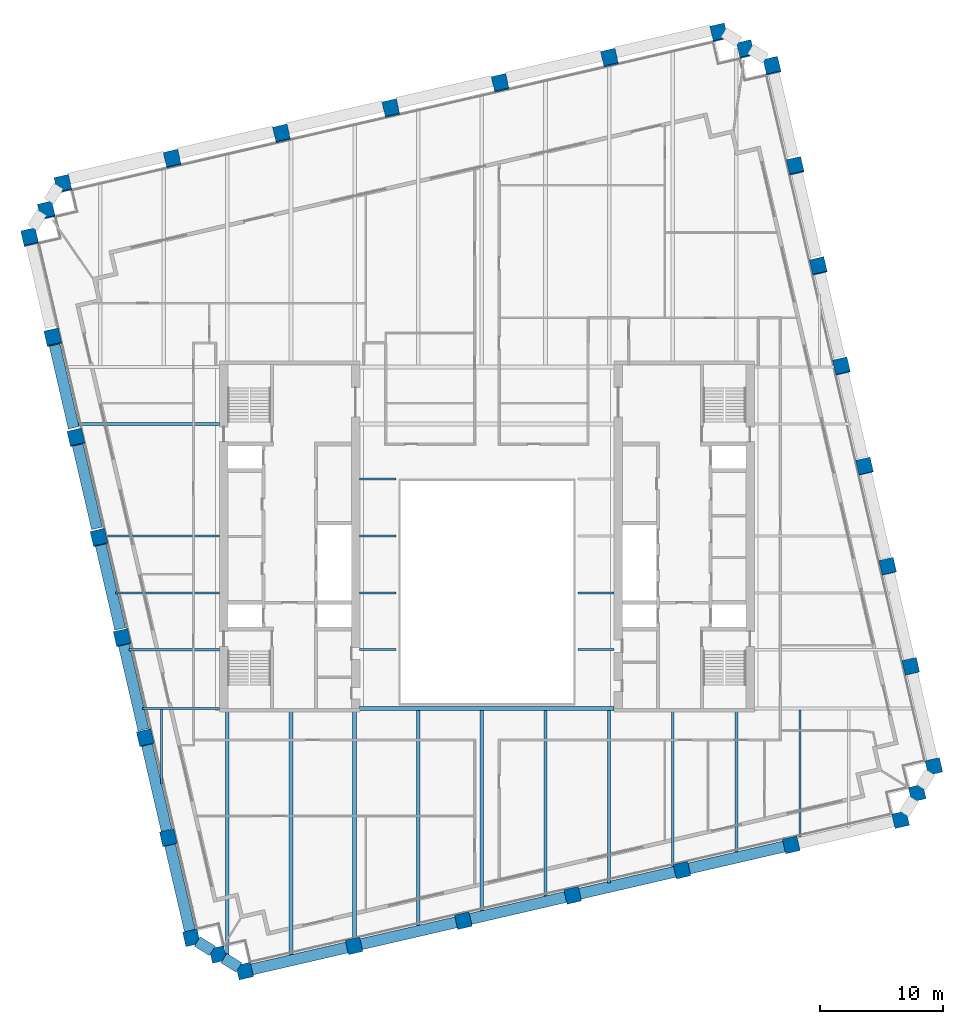
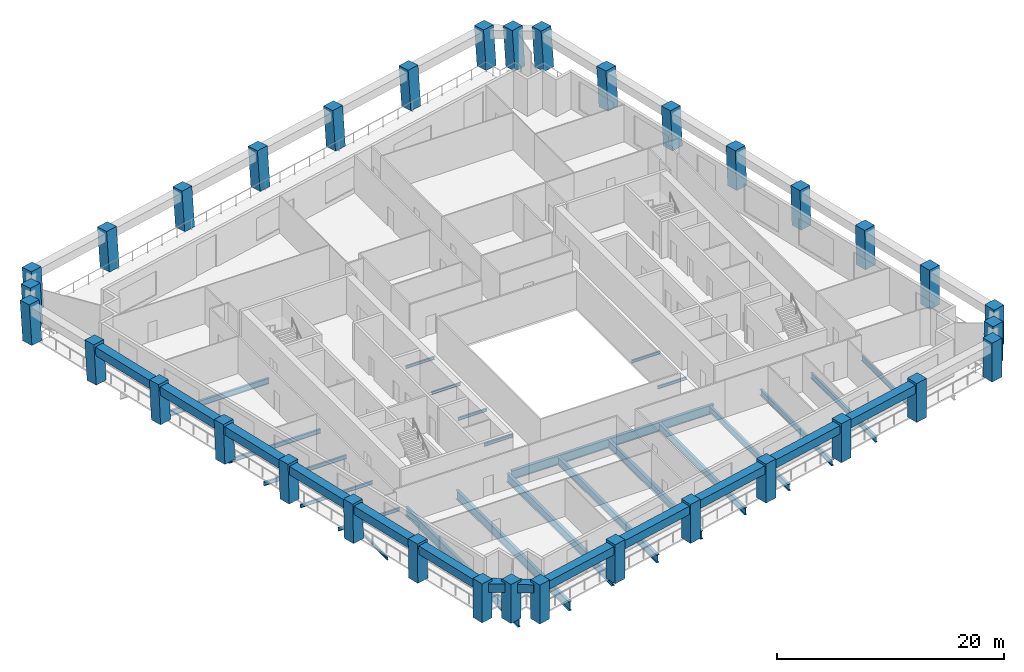
# One storey, part 1 of 11: 36 beams, 34 columns.
"""IFC4 building model written with IfcOpenShell, lengths in metres."""

from ifc_helpers import new_model, si_unit, direction, frame, origin, origin_2d, place, context, subcontext, project, spatial, rectangle, i_section, extrude, material, material_profile, profile_set, type_object, element, save


model = new_model("IFC4")

# Units and contexts
model_context = context("Model", 3, precision=1e-05, world=origin(), true_north=direction((0.0, 1.0)))
body_context = subcontext(model_context, "Body", "Model", "MODEL_VIEW")
ifc_project = project(units=[si_unit("LENGTHUNIT", "METRE"), si_unit("AREAUNIT", "SQUARE_METRE"), si_unit("VOLUMEUNIT", "CUBIC_METRE"), si_unit("PLANEANGLEUNIT", "RADIAN"), si_unit("MASSUNIT", "GRAM", prefix="KILO")], contexts=[model_context])

# Site, building, storey
site_placement = place(None, origin())
site = spatial("IfcSite", under=ifc_project, at=site_placement, CompositionType="ELEMENT")
building_placement = place(site_placement, origin())
building = spatial("IfcBuilding", under=site, at=building_placement, Name="Ogive Exchange Tower", CompositionType="ELEMENT")
storey_placement = place(building_placement, frame((0.0, 0.0, 209.39990234375)))
storey = spatial("IfcBuildingStorey", under=building, at=storey_placement, Name="L46", CompositionType="ELEMENT", Elevation=209.39990234375)

# Columns
ifc_material_1 = material(Name="Precast concrete C70/85 (limestone faced)", Category="masonry")
ifc_material_profile_1 = material_profile(ifc_material_1, rectangle(XDim=1.199951171875, YDim=1.199951171875, at=origin_2d()), Name="1200 x 1200")
ifc_profile_set_1 = profile_set([ifc_material_profile_1], Name="Precast concrete C70/85 (limestone faced)")
column_type = type_object("IfcColumnType", Name="Precast exoskeleton leg 1200 x 1200 C70/85", PredefinedType="COLUMN", material=ifc_profile_set_1)
for number, where, z_axis, x_axis, name in (
    (1, (-19.6494140625, -23.749267578125, 0.0), (0.0, 0.0, 1.0), (0.974370064785, 0.224951054344, 0.0), "Exoskeleton leg 1"),
    (2, (-10.782470703125, -21.7021484375, 0.0), (0.0, 0.0, 1.0), (0.974370064785, 0.224951054344, 0.0), "Exoskeleton leg 2"),
    (3, (-1.915771484375, -19.655029296875, 0.0), (0.0, 0.0, 1.0), (0.974370064785, 0.224951054344, 0.0), "Exoskeleton leg 3"),
    (4, (6.950927734375, -17.60791015625, 0.0), (0.0, 0.0, 1.0), (0.974370064785, 0.224951054344, 0.0), "Exoskeleton leg 4"),
    (5, (15.81787109375, -15.56103515625, 0.0), (0.0, 0.0, 1.0), (0.974370064785, 0.224951054344, 0.0), "Exoskeleton leg 5"),
    (6, (24.6845703125, -13.513916015625, 0.0), (0.0, 0.0, 1.0), (0.974370064785, 0.224951054344, 0.0), "Exoskeleton leg 6"),
    (7, (33.55126953125, -11.466796875, 0.0), (0.0, 0.0, 1.0), (0.974370064785, 0.224951054344, 0.0), "Exoskeleton leg 7"),
    (8, (36.249267578125, -7.1494140625, 0.0), (0.0, 0.0, 1.0), (0.974370064785, 0.224951054344, 0.0), "Exoskeleton leg 8"),
):
    element("IfcColumn", number, at=place(storey_placement, frame(where, z_axis=z_axis, x_axis=x_axis)), inside=storey, type_object=column_type, Name=name, PredefinedType="COLUMN", context=body_context, shape_type="SweptSolid", body=[
        extrude(rectangle(XDim=1.199951171875, YDim=1.199951171875, at=origin_2d()), origin(), (0.0, 0.0, 1.0), 4.2001953125),
    ])
column_1_placement = place(storey_placement, frame((34.376220703125, 0.963134765625, 0.0), z_axis=(-0.002673604768, 0.011682490397, 0.999928183049), x_axis=(-0.974798272484, -0.223088161862, 0.0)))
element("IfcColumn", 9, at=column_1_placement, inside=storey, type_object=column_type, Name="Exoskeleton leg 9", PredefinedType="COLUMN", context=body_context, shape_type="SweptSolid", body=[
    extrude(rectangle(XDim=1.199951171875, YDim=1.199951171875, at=origin_2d()), origin(), (0.0, 0.0, 1.0), 4.200439453125),
])
column_2_placement = place(storey_placement, frame((32.50341796875, 9.075439453125, 0.0), z_axis=(-0.00540415818, 0.023418018779, 0.999711154019), x_axis=(-0.974391195695, -0.224859506699, 0.0)))
element("IfcColumn", 10, at=column_2_placement, inside=storey, type_object=column_type, Name="Exoskeleton leg 10", PredefinedType="COLUMN", context=body_context, shape_type="SweptSolid", body=[
    extrude(rectangle(XDim=1.199951171875, YDim=1.199951171875, at=origin_2d()), origin(), (0.0, 0.0, 1.0), 4.201416015625),
])
column_3_placement = place(storey_placement, frame((30.630615234375, 17.18798828125, 0.0), z_axis=(-0.008132379523, 0.035027320373, 0.999353266483), x_axis=(-0.974090845759, -0.226157078617, 0.0)))
element("IfcColumn", 11, at=column_3_placement, inside=storey, type_object=column_type, Name="Exoskeleton leg 11", PredefinedType="COLUMN", context=body_context, shape_type="SweptSolid", body=[
    extrude(rectangle(XDim=1.199951171875, YDim=1.199951171875, at=origin_2d()), origin(), (0.0, 0.0, 1.0), 4.202880859375),
])
column_4_placement = place(storey_placement, frame((28.757568359375, 25.30029296875, 0.0), z_axis=(-0.01079899337, 0.046737578833, 0.998848827635), x_axis=(-0.974329962248, -0.225124686929, 0.0)))
element("IfcColumn", 12, at=column_4_placement, inside=storey, type_object=column_type, Name="Exoskeleton leg 12", PredefinedType="COLUMN", context=body_context, shape_type="SweptSolid", body=[
    extrude(rectangle(XDim=1.199951171875, YDim=1.199951171875, at=origin_2d()), origin(), (0.0, 0.0, 1.0), 4.205078125),
])
column_5_placement = place(storey_placement, frame((26.884765625, 33.412841796875, 0.0), z_axis=(-0.013519031249, 0.058369722905, 0.9982034919), x_axis=(-0.974211350104, -0.225637420054, 0.0)))
element("IfcColumn", 13, at=column_5_placement, inside=storey, type_object=column_type, Name="Exoskeleton leg 13", PredefinedType="COLUMN", context=body_context, shape_type="SweptSolid", body=[
    extrude(rectangle(XDim=1.199951171875, YDim=1.199951171875, at=origin_2d()), origin(), (0.0, 0.0, 1.0), 4.207763671875),
])
column_6_placement = place(storey_placement, frame((25.01171875, 41.525146484375, 0.0), z_axis=(-0.016175211706, 0.07003460839, 0.99741341286), x_axis=(-0.97435039746, -0.225036225904, 0.0)))
element("IfcColumn", 14, at=column_6_placement, inside=storey, type_object=column_type, Name="Exoskeleton leg 14", PredefinedType="COLUMN", context=body_context, shape_type="SweptSolid", body=[
    extrude(rectangle(XDim=1.199951171875, YDim=1.199951171875, at=origin_2d()), origin(), (0.0, 0.0, 1.0), 4.211181640625),
])
for number, where, z_axis, x_axis, name in (
    (15, (23.138916015625, 49.6376953125, 0.0), (-0.018824669328, 0.081554259734, 0.996491111121), (-0.974379530941, -0.22491004798, 0.0), "Exoskeleton leg 15"),
    (16, (18.8212890625, 52.33544921875, 0.0), (-0.018824580373, 0.08161179614, 0.996486402268), (-0.974414501624, -0.224758490439, 0.0), "Exoskeleton leg 16"),
    (17, (9.95458984375, 50.28857421875, 0.0), (-0.018824669328, 0.081554259734, 0.996491111121), (-0.974379530941, -0.22491004798, 0.0), "Exoskeleton leg 17"),
    (18, (1.087890625, 48.241455078125, 0.0), (-0.018882570767, 0.081554170673, 0.996490022914), (-0.974227676113, -0.225566919327, 0.0), "Exoskeleton leg 18"),
    (19, (-7.779052734375, 46.1943359375, 0.0), (-0.018824580373, 0.08161179614, 0.996486402268), (-0.974414501624, -0.224758490439, 0.0), "Exoskeleton leg 19"),
    (20, (-16.645751953125, 44.147216796875, 0.0), (-0.018824580373, 0.08161179614, 0.996486402268), (-0.974414501624, -0.224758490439, 0.0), "Exoskeleton leg 20"),
    (21, (-25.512451171875, 42.100341796875, 0.0), (-0.018824669328, 0.081554259734, 0.996491111121), (-0.974379530941, -0.22491004798, 0.0), "Exoskeleton leg 21"),
    (22, (-34.37939453125, 40.05322265625, 0.0), (-0.018824580373, 0.08161179614, 0.996486402268), (-0.974414501624, -0.224758490439, 0.0), "Exoskeleton leg 22"),
    (23, (-37.0771484375, 35.735595703125, 0.0), (-0.018824580373, 0.08161179614, 0.996486402268), (-0.974414501624, -0.224758490439, 0.0), "Exoskeleton leg 23"),
):
    element("IfcColumn", number, at=place(storey_placement, frame(where, z_axis=z_axis, x_axis=x_axis)), inside=storey, type_object=column_type, Name=name, PredefinedType="COLUMN", context=body_context, shape_type="SweptSolid", body=[
        extrude(rectangle(XDim=1.199951171875, YDim=1.199951171875, at=origin_2d()), origin(), (0.0, 0.0, 1.0), 4.215087890625),
    ])
column_7_placement = place(storey_placement, frame((-35.204345703125, 27.623291015625, 0.0), z_axis=(-0.016117316538, 0.069976982236, 0.997418394689), x_axis=(-0.974486358888, -0.224446733862, 0.0)))
element("IfcColumn", 24, at=column_7_placement, inside=storey, type_object=column_type, Name="Exoskeleton leg 24", PredefinedType="COLUMN", context=body_context, shape_type="SweptSolid", body=[
    extrude(rectangle(XDim=1.199951171875, YDim=1.199951171875, at=origin_2d()), origin(), (0.0, 0.0, 1.0), 4.211181640625),
])
column_8_placement = place(storey_placement, frame((-33.331298828125, 19.5107421875, 0.0), z_axis=(-0.013518985442, 0.058427546523, 0.998200109617), x_axis=(-0.974260583886, -0.225424742845, 0.0)))
element("IfcColumn", 25, at=column_8_placement, inside=storey, type_object=column_type, Name="Exoskeleton leg 25", PredefinedType="COLUMN", context=body_context, shape_type="SweptSolid", body=[
    extrude(rectangle(XDim=1.199951171875, YDim=1.199951171875, at=origin_2d()), origin(), (0.0, 0.0, 1.0), 4.207763671875),
])
column_9_placement = place(storey_placement, frame((-31.45849609375, 11.3984375, 0.0), z_axis=(-0.01079899337, 0.046737578833, 0.998848827635), x_axis=(-0.974329962248, -0.225124686929, 0.0)))
element("IfcColumn", 26, at=column_9_placement, inside=storey, type_object=column_type, Name="Exoskeleton leg 26", PredefinedType="COLUMN", context=body_context, shape_type="SweptSolid", body=[
    extrude(rectangle(XDim=1.199951171875, YDim=1.199951171875, at=origin_2d()), origin(), (0.0, 0.0, 1.0), 4.205078125),
])
column_10_placement = place(storey_placement, frame((-29.585693359375, 3.285888671875, 0.0), z_axis=(-0.008074278456, 0.035085353866, 0.999351701841), x_axis=(-0.974526982896, -0.224270282488, 0.0)))
element("IfcColumn", 27, at=column_10_placement, inside=storey, type_object=column_type, Name="Exoskeleton leg 27", PredefinedType="COLUMN", context=body_context, shape_type="SweptSolid", body=[
    extrude(rectangle(XDim=1.199951171875, YDim=1.199951171875, at=origin_2d()), origin(), (0.0, 0.0, 1.0), 4.202880859375),
])
column_11_placement = place(storey_placement, frame((-27.712646484375, -4.826416015625, 0.0), z_axis=(-0.005404165525, 0.0233599413, 0.999712512744), x_axis=(-0.974268511785, -0.225390476607, 0.0)))
element("IfcColumn", 28, at=column_11_placement, inside=storey, type_object=column_type, Name="Exoskeleton leg 28", PredefinedType="COLUMN", context=body_context, shape_type="SweptSolid", body=[
    extrude(rectangle(XDim=1.199951171875, YDim=1.199951171875, at=origin_2d()), origin(), (0.0, 0.0, 1.0), 4.201416015625),
])
column_12_placement = place(storey_placement, frame((-25.83984375, -12.93896484375, 0.0), z_axis=(-0.002673602948, 0.011740604248, 0.999927502402), x_axis=(-0.975037935076, -0.222038341651, 0.0)))
element("IfcColumn", 29, at=column_12_placement, inside=storey, type_object=column_type, Name="Exoskeleton leg 29", PredefinedType="COLUMN", context=body_context, shape_type="SweptSolid", body=[
    extrude(rectangle(XDim=1.199951171875, YDim=1.199951171875, at=origin_2d()), origin(), (0.0, 0.0, 1.0), 4.200439453125),
])
for number, where, z_axis, x_axis, name in (
    (30, (-23.966796875, -21.05126953125, 0.0), (0.0, 0.0, 1.0), (0.974370064785, 0.224951054344, 0.0), "Exoskeleton leg 30"),
    (31, (34.900146484375, -9.30810546875, 0.0), (0.0, 0.0, 1.0), (0.974370064785, 0.224951054344, 0.0), "Exoskeleton leg 31"),
):
    element("IfcColumn", number, at=place(storey_placement, frame(where, z_axis=z_axis, x_axis=x_axis)), inside=storey, type_object=column_type, Name=name, PredefinedType="COLUMN", context=body_context, shape_type="SweptSolid", body=[
        extrude(rectangle(XDim=1.199951171875, YDim=1.199951171875, at=origin_2d()), origin(), (0.0, 0.0, 1.0), 4.2001953125),
    ])
for number, where, z_axis, x_axis, name in (
    (32, (20.97998046875, 50.986572265625, 0.0), (-0.018824580373, 0.08161179614, 0.996486402268), (-0.974414501624, -0.224758490439, 0.0), "Exoskeleton leg 32"),
    (33, (-35.728271484375, 37.894287109375, 0.0), (-0.018824580373, 0.08161179614, 0.996486402268), (-0.974414501624, -0.224758490439, 0.0), "Exoskeleton leg 33"),
):
    element("IfcColumn", number, at=place(storey_placement, frame(where, z_axis=z_axis, x_axis=x_axis)), inside=storey, type_object=column_type, Name=name, PredefinedType="COLUMN", context=body_context, shape_type="SweptSolid", body=[
        extrude(rectangle(XDim=1.199951171875, YDim=1.199951171875, at=origin_2d()), origin(), (0.0, 0.0, 1.0), 4.215087890625),
    ])
column_13_placement = place(storey_placement, frame((-21.80810546875, -22.400146484375, 0.0), z_axis=(0.0, 0.0, 1.0), x_axis=(0.974370064785, 0.224951054344, 0.0)))
element("IfcColumn", 34, at=column_13_placement, inside=storey, type_object=column_type, Name="Exoskeleton leg 34", PredefinedType="COLUMN", context=body_context, shape_type="SweptSolid", body=[
    extrude(rectangle(XDim=1.199951171875, YDim=1.199951171875, at=origin_2d()), origin(), (0.0, 0.0, 1.0), 4.2001953125),
])

# Beams
ifc_material_2 = material(Name="Steel ASTM A992 Gr50", Category="steel")
ifc_material_profile_2 = material_profile(ifc_material_2, i_section(OverallWidth=0.300048828125, OverallDepth=0.969970703125, WebThickness=0.01611328125, FlangeThickness=0.02099609375, at=origin_2d()), Name="W1000x222")
ifc_profile_set_2 = profile_set([ifc_material_profile_2], Name="Steel ASTM A992 Gr50")
beam_type_1 = type_object("IfcBeamType", Name="Floor beam W1000x222", PredefinedType="JOIST", material=ifc_profile_set_2)
beam_1_placement = place(storey_placement, frame((-21.055908203125, -22.489501953125, -0.684814453125), z_axis=(0.0, 1.0, 0.0), x_axis=(-1.0, 0.0, 0.0)))
element("IfcBeam", 35, at=beam_1_placement, inside=storey, type_object=beam_type_1, Name="Floor beam", PredefinedType="JOIST", context=body_context, shape_type="SweptSolid", body=[
    extrude(i_section(OverallWidth=0.300048828125, OverallDepth=0.969970703125, WebThickness=0.01611328125, FlangeThickness=0.02099609375, at=origin_2d()), origin(), (0.0, 0.0, 1.0), 19.889404296875),
])
beam_2_placement = place(storey_placement, frame((-15.8955078125, -22.57080078125, -0.684814453125), z_axis=(0.0, 1.0, 0.0), x_axis=(-1.0, 0.0, 0.0)))
element("IfcBeam", 36, at=beam_2_placement, inside=storey, type_object=beam_type_1, Name="Floor beam", PredefinedType="JOIST", context=body_context, shape_type="SweptSolid", body=[
    extrude(i_section(OverallWidth=0.300048828125, OverallDepth=0.969970703125, WebThickness=0.01611328125, FlangeThickness=0.02099609375, at=origin_2d()), origin(), (0.0, 0.0, 1.0), 19.970703125),
])
ifc_material_profile_3 = material_profile(ifc_material_2, i_section(OverallWidth=0.1650390625, OverallDepth=0.31005859375, WebThickness=0.005859375, FlangeThickness=0.009765625, at=origin_2d()), Name="W310x38.7")
ifc_profile_set_3 = profile_set([ifc_material_profile_3], Name="Steel ASTM A992 Gr50")
beam_type_2 = type_object("IfcBeamType", Name="Floor beam W310x38.7", PredefinedType="JOIST", material=ifc_profile_set_3)
for number, where, z_axis, x_axis, name in (
    (37, (-10.320068359375, 2.3212890625, -0.35498046875), (1.0, 0.0, 0.0), (0.0, 1.0, 0.0), "Floor beam"),
    (38, (7.3701171875, 2.3212890625, -0.35498046875), (1.0, 0.0, 0.0), (0.0, 1.0, 0.0), "Floor beam"),
    (39, (-10.320068359375, 6.9326171875, -0.35498046875), (1.0, 0.0, 0.0), (0.0, 1.0, 0.0), "Floor beam"),
    (40, (7.3701171875, 6.9326171875, -0.35498046875), (1.0, 0.0, 0.0), (0.0, 1.0, 0.0), "Floor beam"),
    (41, (-10.320068359375, 11.543701171875, -0.35498046875), (1.0, 0.0, 0.0), (0.0, 1.0, 0.0), "Floor beam"),
):
    element("IfcBeam", number, at=place(storey_placement, frame(where, z_axis=z_axis, x_axis=x_axis)), inside=storey, type_object=beam_type_2, Name=name, PredefinedType="JOIST", context=body_context, shape_type="SweptSolid", body=[
        extrude(i_section(OverallWidth=0.1650390625, OverallDepth=0.31005859375, WebThickness=0.005859375, FlangeThickness=0.009765625, at=origin_2d()), origin(), (0.0, 0.0, 1.0), 2.949951171875),
    ])
beam_3_placement = place(storey_placement, frame((-26.41650390625, -8.59033203125, -0.35498046875), z_axis=(0.0, 1.0, 0.0), x_axis=(-1.0, 0.0, 0.0)))
element("IfcBeam", 42, at=beam_3_placement, inside=storey, type_object=beam_type_2, Name="Floor beam", PredefinedType="JOIST", context=body_context, shape_type="SweptSolid", body=[
    extrude(i_section(OverallWidth=0.1650390625, OverallDepth=0.31005859375, WebThickness=0.005859375, FlangeThickness=0.009765625, at=origin_2d()), origin(), (0.0, 0.0, 1.0), 6.059814453125),
])
ifc_material_profile_4 = material_profile(ifc_material_2, i_section(OverallWidth=0.1708984375, OverallDepth=0.35595703125, WebThickness=0.00732421875, FlangeThickness=0.01171875, at=origin_2d()), Name="W360x51")
ifc_profile_set_4 = profile_set([ifc_material_profile_4], Name="Steel ASTM A992 Gr50")
beam_type_3 = type_object("IfcBeamType", Name="Floor beam W360x51", PredefinedType="JOIST", material=ifc_profile_set_4)
beam_4_placement = place(storey_placement, frame((-29.051025390625, 2.3212890625, -0.3779296875), z_axis=(1.0, 0.0, 0.0), x_axis=(0.0, 1.0, 0.0)))
element("IfcBeam", 43, at=beam_4_placement, inside=storey, type_object=beam_type_3, Name="Floor beam", PredefinedType="JOIST", context=body_context, shape_type="SweptSolid", body=[
    extrude(i_section(OverallWidth=0.1708984375, OverallDepth=0.35595703125, WebThickness=0.00732421875, FlangeThickness=0.01171875, at=origin_2d()), origin(), (0.0, 0.0, 1.0), 7.37109375),
])
ifc_material_profile_5 = material_profile(ifc_material_2, i_section(OverallWidth=0.177978515625, OverallDepth=0.406005859375, WebThickness=0.0078125, FlangeThickness=0.0126953125, at=origin_2d()), Name="W410x60")
ifc_profile_set_5 = profile_set([ifc_material_profile_5], Name="Steel ASTM A992 Gr50")
beam_type_4 = type_object("IfcBeamType", Name="Floor beam W410x60", PredefinedType="JOIST", material=ifc_profile_set_5)
beam_5_placement = place(storey_placement, frame((-30.115478515625, 6.9326171875, -0.40283203125), z_axis=(1.0, 0.0, 0.0), x_axis=(0.0, 1.0, 0.0)))
element("IfcBeam", 44, at=beam_5_placement, inside=storey, type_object=beam_type_4, Name="Floor beam", PredefinedType="JOIST", context=body_context, shape_type="SweptSolid", body=[
    extrude(i_section(OverallWidth=0.177978515625, OverallDepth=0.406005859375, WebThickness=0.0078125, FlangeThickness=0.0126953125, at=origin_2d()), origin(), (0.0, 0.0, 1.0), 8.435546875),
])
ifc_material_profile_6 = material_profile(ifc_material_2, i_section(OverallWidth=0.19091796875, OverallDepth=0.45703125, WebThickness=0.009033203125, FlangeThickness=0.014404296875, at=origin_2d()), Name="W460x74")
ifc_profile_set_6 = profile_set([ifc_material_profile_6], Name="Steel ASTM A992 Gr50")
beam_type_5 = type_object("IfcBeamType", Name="Floor beam W460x74", PredefinedType="JOIST", material=ifc_profile_set_6)
beam_6_placement = place(storey_placement, frame((-31.0302734375, 11.543701171875, -0.428466796875), z_axis=(1.0, 0.0, 0.0), x_axis=(0.0, 1.0, 0.0)))
element("IfcBeam", 45, at=beam_6_placement, inside=storey, type_object=beam_type_5, Name="Floor beam", PredefinedType="JOIST", context=body_context, shape_type="SweptSolid", body=[
    extrude(i_section(OverallWidth=0.19091796875, OverallDepth=0.45703125, WebThickness=0.009033203125, FlangeThickness=0.014404296875, at=origin_2d()), origin(), (0.0, 0.0, 1.0), 9.350341796875),
])
ifc_material_profile_7 = material_profile(ifc_material_2, i_section(OverallWidth=0.1669921875, OverallDepth=0.535888671875, WebThickness=0.01025390625, FlangeThickness=0.0166015625, at=origin_2d()), Name="W530x85")
ifc_profile_set_7 = profile_set([ifc_material_profile_7], Name="Steel ASTM A992 Gr50")
beam_type_6 = type_object("IfcBeamType", Name="Floor beam W530x85", PredefinedType="JOIST", material=ifc_profile_set_7)
beam_7_placement = place(storey_placement, frame((25.388427734375, -12.8896484375, -0.468017578125), z_axis=(0.0, 1.0, 0.0), x_axis=(-1.0, 0.0, 0.0)))
element("IfcBeam", 46, at=beam_7_placement, inside=storey, type_object=beam_type_6, Name="Floor beam", PredefinedType="JOIST", context=body_context, shape_type="SweptSolid", body=[
    extrude(i_section(OverallWidth=0.1669921875, OverallDepth=0.535888671875, WebThickness=0.01025390625, FlangeThickness=0.0166015625, at=origin_2d()), origin(), (0.0, 0.0, 1.0), 10.31103515625),
])
ifc_material_profile_8 = material_profile(ifc_material_2, i_section(OverallWidth=0.22802734375, OverallDepth=0.60205078125, WebThickness=0.010498046875, FlangeThickness=0.014892578125, at=origin_2d()), Name="W610x101")
ifc_profile_set_8 = profile_set([ifc_material_profile_8], Name="Steel ASTM A992 Gr50")
beam_type_7 = type_object("IfcBeamType", Name="Floor beam W610x101", PredefinedType="JOIST", material=ifc_profile_set_8)
beam_8_placement = place(storey_placement, frame((-33.126220703125, 20.62255859375, -0.5009765625), z_axis=(1.0, 0.0, 0.0), x_axis=(0.0, 1.0, 0.0)))
element("IfcBeam", 47, at=beam_8_placement, inside=storey, type_object=beam_type_7, Name="Floor beam", PredefinedType="JOIST", context=body_context, shape_type="SweptSolid", body=[
    extrude(i_section(OverallWidth=0.22802734375, OverallDepth=0.60205078125, WebThickness=0.010498046875, FlangeThickness=0.014892578125, at=origin_2d()), origin(), (0.0, 0.0, 1.0), 11.4462890625),
])
beam_9_placement = place(storey_placement, frame((20.22802734375, -14.0810546875, -0.5009765625), z_axis=(0.0, 1.0, 0.0), x_axis=(-1.0, 0.0, 0.0)))
element("IfcBeam", 48, at=beam_9_placement, inside=storey, type_object=beam_type_7, Name="Floor beam", PredefinedType="JOIST", context=body_context, shape_type="SweptSolid", body=[
    extrude(i_section(OverallWidth=0.22802734375, OverallDepth=0.60205078125, WebThickness=0.010498046875, FlangeThickness=0.014892578125, at=origin_2d()), origin(), (0.0, 0.0, 1.0), 11.48095703125),
])
ifc_material_profile_9 = material_profile(ifc_material_2, i_section(OverallWidth=0.22900390625, OverallDepth=0.612060546875, WebThickness=0.011962890625, FlangeThickness=0.01953125, at=origin_2d()), Name="W610x125")
ifc_profile_set_9 = profile_set([ifc_material_profile_9], Name="Steel ASTM A992 Gr50")
beam_type_8 = type_object("IfcBeamType", Name="Floor beam W610x125", PredefinedType="JOIST", material=ifc_profile_set_9)
beam_10_placement = place(storey_placement, frame((15.0673828125, -15.2724609375, -0.505859375), z_axis=(0.0, 1.0, 0.0), x_axis=(-1.0, 0.0, 0.0)))
element("IfcBeam", 49, at=beam_10_placement, inside=storey, type_object=beam_type_8, Name="Floor beam", PredefinedType="JOIST", context=body_context, shape_type="SweptSolid", body=[
    extrude(i_section(OverallWidth=0.22900390625, OverallDepth=0.612060546875, WebThickness=0.011962890625, FlangeThickness=0.01953125, at=origin_2d()), origin(), (0.0, 0.0, 1.0), 12.67236328125),
])
ifc_material_profile_10 = material_profile(ifc_material_2, i_section(OverallWidth=0.25390625, OverallDepth=0.677978515625, WebThickness=0.01171875, FlangeThickness=0.016357421875, at=origin_2d()), Name="W690x125")
ifc_profile_set_10 = profile_set([ifc_material_profile_10], Name="Steel ASTM A992 Gr50")
beam_type_9 = type_object("IfcBeamType", Name="Floor beam W690x125", PredefinedType="JOIST", material=ifc_profile_set_10)
beam_11_placement = place(storey_placement, frame((9.906982421875, -16.61376953125, -0.538818359375), z_axis=(0.0, 1.0, 0.0), x_axis=(-1.0, 0.0, 0.0)))
element("IfcBeam", 50, at=beam_11_placement, inside=storey, type_object=beam_type_9, Name="Floor beam", PredefinedType="JOIST", context=body_context, shape_type="SweptSolid", body=[
    extrude(i_section(OverallWidth=0.25390625, OverallDepth=0.677978515625, WebThickness=0.01171875, FlangeThickness=0.016357421875, at=origin_2d()), origin(), (0.0, 0.0, 1.0), 14.018798828125),
])
ifc_material_profile_11 = material_profile(ifc_material_2, i_section(OverallWidth=0.26708984375, OverallDepth=0.75390625, WebThickness=0.01318359375, FlangeThickness=0.01708984375, at=origin_2d()), Name="W760x147")
ifc_profile_set_11 = profile_set([ifc_material_profile_11], Name="Steel ASTM A992 Gr50")
beam_type_10 = type_object("IfcBeamType", Name="Floor beam W760x147", PredefinedType="JOIST", material=ifc_profile_set_11)
beam_12_placement = place(storey_placement, frame((4.74658203125, -17.80517578125, -0.576904296875), z_axis=(0.0, 1.0, 0.0), x_axis=(-1.0, 0.0, 0.0)))
element("IfcBeam", 51, at=beam_12_placement, inside=storey, type_object=beam_type_10, Name="Floor beam", PredefinedType="JOIST", context=body_context, shape_type="SweptSolid", body=[
    extrude(i_section(OverallWidth=0.26708984375, OverallDepth=0.75390625, WebThickness=0.01318359375, FlangeThickness=0.01708984375, at=origin_2d()), origin(), (0.0, 0.0, 1.0), 15.210205078125),
])
ifc_material_profile_12 = material_profile(ifc_material_2, i_section(OverallWidth=0.2919921875, OverallDepth=0.8359375, WebThickness=0.013916015625, FlangeThickness=0.018798828125, at=origin_2d()), Name="W840x176")
ifc_profile_set_12 = profile_set([ifc_material_profile_12], Name="Steel ASTM A992 Gr50")
beam_type_11 = type_object("IfcBeamType", Name="Floor beam W840x176", PredefinedType="JOIST", material=ifc_profile_set_12)
beam_13_placement = place(storey_placement, frame((-0.4140625, -18.99658203125, -0.617919921875), z_axis=(0.0, 1.0, 0.0), x_axis=(-1.0, 0.0, 0.0)))
element("IfcBeam", 52, at=beam_13_placement, inside=storey, type_object=beam_type_11, Name="Floor beam", PredefinedType="JOIST", context=body_context, shape_type="SweptSolid", body=[
    extrude(i_section(OverallWidth=0.2919921875, OverallDepth=0.8359375, WebThickness=0.013916015625, FlangeThickness=0.018798828125, at=origin_2d()), origin(), (0.0, 0.0, 1.0), 16.401611328125),
])
ifc_material_profile_13 = material_profile(ifc_material_2, i_section(OverallWidth=0.2919921875, OverallDepth=0.845947265625, WebThickness=0.015380859375, FlangeThickness=0.0244140625, at=origin_2d()), Name="W840x210")
ifc_profile_set_13 = profile_set([ifc_material_profile_13], Name="Steel ASTM A992 Gr50")
beam_type_12 = type_object("IfcBeamType", Name="Floor beam W840x210", PredefinedType="JOIST", material=ifc_profile_set_13)
beam_14_placement = place(storey_placement, frame((-5.574462890625, -20.18798828125, -0.622802734375), z_axis=(0.0, 1.0, 0.0), x_axis=(-1.0, 0.0, 0.0)))
element("IfcBeam", 53, at=beam_14_placement, inside=storey, type_object=beam_type_12, Name="Floor beam", PredefinedType="JOIST", context=body_context, shape_type="SweptSolid", body=[
    extrude(i_section(OverallWidth=0.2919921875, OverallDepth=0.845947265625, WebThickness=0.015380859375, FlangeThickness=0.0244140625, at=origin_2d()), origin(), (0.0, 0.0, 1.0), 17.593017578125),
])
ifc_material_profile_14 = material_profile(ifc_material_2, i_section(OverallWidth=0.304931640625, OverallDepth=0.904052734375, WebThickness=0.01513671875, FlangeThickness=0.02001953125, at=origin_2d()), Name="W920x201")
ifc_profile_set_14 = profile_set([ifc_material_profile_14], Name="Steel ASTM A992 Gr50")
beam_type_13 = type_object("IfcBeamType", Name="Floor beam W920x201", PredefinedType="JOIST", material=ifc_profile_set_14)
beam_15_placement = place(storey_placement, frame((-10.735107421875, -21.229248046875, -0.65185546875), z_axis=(0.0, 1.0, 0.0), x_axis=(-1.0, 0.0, 0.0)))
element("IfcBeam", 54, at=beam_15_placement, inside=storey, type_object=beam_type_13, Name="Floor beam", PredefinedType="JOIST", context=body_context, shape_type="SweptSolid", body=[
    extrude(i_section(OverallWidth=0.304931640625, OverallDepth=0.904052734375, WebThickness=0.01513671875, FlangeThickness=0.02001953125, at=origin_2d()), origin(), (0.0, 0.0, 1.0), 18.629150390625),
])
ifc_material_profile_15 = material_profile(ifc_material_2, i_section(OverallWidth=0.300048828125, OverallDepth=0.97998046875, WebThickness=0.0166015625, FlangeThickness=0.026123046875, at=origin_2d()), Name="W1000x249")
ifc_profile_set_15 = profile_set([ifc_material_profile_15], Name="Steel ASTM A992 Gr50")
beam_type_14 = type_object("IfcBeamType", Name="Girder W1000x249", PredefinedType="BEAM", material=ifc_profile_set_15)
beam_16_placement = place(storey_placement, frame((-10.320068359375, -2.445068359375, -0.68994140625), z_axis=(1.0, 0.0, 0.0), x_axis=(0.0, 1.0, 0.0)))
element("IfcBeam", 55, at=beam_16_placement, inside=storey, type_object=beam_type_14, Name="Header girder", PredefinedType="BEAM", context=body_context, shape_type="SweptSolid", body=[
    extrude(i_section(OverallWidth=0.300048828125, OverallDepth=0.97998046875, WebThickness=0.0166015625, FlangeThickness=0.026123046875, at=origin_2d()), origin(), (0.0, 0.0, 1.0), 20.64013671875),
])
ifc_material_profile_16 = material_profile(ifc_material_2, i_section(OverallWidth=0.1650390625, OverallDepth=0.31005859375, WebThickness=0.005859375, FlangeThickness=0.009765625, at=origin_2d()), Name="W310x38.7")
ifc_profile_set_16 = profile_set([ifc_material_profile_16], Name="Steel ASTM A992 Gr50")
beam_type_15 = type_object("IfcBeamType", Name="Girder W310x38.7", PredefinedType="BEAM", material=ifc_profile_set_16)
beam_17_placement = place(storey_placement, frame((-10.320068359375, 16.155029296875, -0.35498046875), z_axis=(1.0, 0.0, 0.0), x_axis=(0.0, 1.0, 0.0)))
element("IfcBeam", 56, at=beam_17_placement, inside=storey, type_object=beam_type_15, Name="Trimmer girder", PredefinedType="BEAM", context=body_context, shape_type="SweptSolid", body=[
    extrude(i_section(OverallWidth=0.1650390625, OverallDepth=0.31005859375, WebThickness=0.005859375, FlangeThickness=0.009765625, at=origin_2d()), origin(), (0.0, 0.0, 1.0), 2.949951171875),
])
ifc_material_profile_17 = material_profile(ifc_material_2, i_section(OverallWidth=0.1708984375, OverallDepth=0.35595703125, WebThickness=0.00732421875, FlangeThickness=0.01171875, at=origin_2d()), Name="W360x51")
ifc_profile_set_17 = profile_set([ifc_material_profile_17], Name="Steel ASTM A992 Gr50")
beam_type_16 = type_object("IfcBeamType", Name="Girder W360x51", PredefinedType="BEAM", material=ifc_profile_set_17)
beam_18_placement = place(storey_placement, frame((-27.95068359375, -2.445068359375, -0.3779296875), z_axis=(1.0, 0.0, 0.0), x_axis=(0.0, 1.0, 0.0)))
element("IfcBeam", 57, at=beam_18_placement, inside=storey, type_object=beam_type_16, Name="Header girder", PredefinedType="BEAM", context=body_context, shape_type="SweptSolid", body=[
    extrude(i_section(OverallWidth=0.1708984375, OverallDepth=0.35595703125, WebThickness=0.00732421875, FlangeThickness=0.01171875, at=origin_2d()), origin(), (0.0, 0.0, 1.0), 6.270751953125),
])
ifc_material_profile_18 = material_profile(ifc_material_1, rectangle(XDim=0.89990234375, YDim=0.89990234375, at=origin_2d()), Name="900 x 900")
ifc_profile_set_18 = profile_set([ifc_material_profile_18], Name="Precast concrete C70/85 (limestone faced)")
beam_type_17 = type_object("IfcBeamType", Name="Precast spandrel 900 x 900 C70/85", PredefinedType="SPANDREL", material=ifc_profile_set_18)
beam_19_placement = place(storey_placement, frame((-19.084228515625, -23.61865234375, 3.5), z_axis=(0.974369944206, 0.224951576629, 0.0), x_axis=(-0.224951576629, 0.974369944206, 0.0)))
element("IfcBeam", 58, at=beam_19_placement, inside=storey, type_object=beam_type_17, Name="Spandrel 1", PredefinedType="SPANDREL", context=body_context, shape_type="SweptSolid", body=[
    extrude(rectangle(XDim=0.89990234375, YDim=0.89990234375, at=origin_2d()), origin(), (0.0, 0.0, 1.0), 7.940185546875),
])
beam_20_placement = place(storey_placement, frame((-10.21728515625, -21.57177734375, 3.5), z_axis=(0.974368388194, 0.224958316335, 0.0), x_axis=(-0.224958316335, 0.974368388194, 0.0)))
element("IfcBeam", 59, at=beam_20_placement, inside=storey, type_object=beam_type_17, Name="Spandrel 2", PredefinedType="SPANDREL", context=body_context, shape_type="SweptSolid", body=[
    extrude(rectangle(XDim=0.89990234375, YDim=0.89990234375, at=origin_2d()), origin(), (0.0, 0.0, 1.0), 7.93994140625),
])
for number, where, z_axis, x_axis, name in (
    (60, (-1.3505859375, -19.524658203125, 3.5), (0.974369944206, 0.224951576629, 0.0), (-0.224951576629, 0.974369944206, 0.0), "Spandrel 3"),
    (61, (7.51611328125, -17.4775390625, 3.5), (0.974369944206, 0.224951576629, 0.0), (-0.224951576629, 0.974369944206, 0.0), "Spandrel 4"),
    (62, (16.3828125, -15.430419921875, 3.5), (0.974369944206, 0.224951576629, 0.0), (-0.224951576629, 0.974369944206, 0.0), "Spandrel 5"),
):
    element("IfcBeam", number, at=place(storey_placement, frame(where, z_axis=z_axis, x_axis=x_axis)), inside=storey, type_object=beam_type_17, Name=name, PredefinedType="SPANDREL", context=body_context, shape_type="SweptSolid", body=[
        extrude(rectangle(XDim=0.89990234375, YDim=0.89990234375, at=origin_2d()), origin(), (0.0, 0.0, 1.0), 7.940185546875),
    ])
beam_21_placement = place(storey_placement, frame((-35.141845703125, 27.352783203125, 3.5), z_axis=(0.224950928933, -0.974370093739, 0.0), x_axis=(0.974370093739, 0.224950928933, 0.0)))
element("IfcBeam", 63, at=beam_21_placement, inside=storey, type_object=beam_type_17, Name="Spandrel 27", PredefinedType="SPANDREL", context=body_context, shape_type="SweptSolid", body=[
    extrude(rectangle(XDim=0.89990234375, YDim=0.89990234375, at=origin_2d()), origin(), (0.0, 0.0, 1.0), 7.21630859375),
])
beam_22_placement = place(storey_placement, frame((-33.257568359375, 19.19140625, 3.5), z_axis=(0.224943513624, -0.974371805667, 0.0), x_axis=(0.974371805667, 0.224943513624, 0.0)))
element("IfcBeam", 64, at=beam_22_placement, inside=storey, type_object=beam_type_17, Name="Spandrel 28", PredefinedType="SPANDREL", context=body_context, shape_type="SweptSolid", body=[
    extrude(rectangle(XDim=0.89990234375, YDim=0.89990234375, at=origin_2d()), origin(), (0.0, 0.0, 1.0), 7.216552734375),
])
for number, where, z_axis, x_axis, name in (
    (65, (-31.373291015625, 11.02978515625, 3.5), (0.224950928933, -0.974370093739, 0.0), (0.974370093739, 0.224950928933, 0.0), "Spandrel 29"),
    (66, (-29.489013671875, 2.8681640625, 3.5), (0.224950928933, -0.974370093739, 0.0), (0.974370093739, 0.224950928933, 0.0), "Spandrel 30"),
):
    element("IfcBeam", number, at=place(storey_placement, frame(where, z_axis=z_axis, x_axis=x_axis)), inside=storey, type_object=beam_type_17, Name=name, PredefinedType="SPANDREL", context=body_context, shape_type="SweptSolid", body=[
        extrude(rectangle(XDim=0.89990234375, YDim=0.89990234375, at=origin_2d()), origin(), (0.0, 0.0, 1.0), 7.21630859375),
    ])
beam_23_placement = place(storey_placement, frame((-27.60498046875, -5.293212890625, 3.5), z_axis=(0.224943513624, -0.974371805667, 0.0), x_axis=(0.974371805667, 0.224943513624, 0.0)))
element("IfcBeam", 67, at=beam_23_placement, inside=storey, type_object=beam_type_17, Name="Spandrel 31", PredefinedType="SPANDREL", context=body_context, shape_type="SweptSolid", body=[
    extrude(rectangle(XDim=0.89990234375, YDim=0.89990234375, at=origin_2d()), origin(), (0.0, 0.0, 1.0), 7.216552734375),
])
beam_24_placement = place(storey_placement, frame((-25.720703125, -13.454833984375, 3.5), z_axis=(0.224950928933, -0.974370093739, 0.0), x_axis=(0.974370093739, 0.224950928933, 0.0)))
element("IfcBeam", 68, at=beam_24_placement, inside=storey, type_object=beam_type_17, Name="Spandrel 32", PredefinedType="SPANDREL", context=body_context, shape_type="SweptSolid", body=[
    extrude(rectangle(XDim=0.89990234375, YDim=0.89990234375, at=origin_2d()), origin(), (0.0, 0.0, 1.0), 7.21630859375),
])
for number, where, z_axis, x_axis, name in (
    (69, (-23.501708984375, -21.342041015625, 3.5), (0.848074041941, -0.529877740036, 0.0), (0.529877740036, 0.848074041941, 0.0), "Spandrel 33"),
    (70, (-21.343017578125, -22.69091796875, 3.5), (0.848074041941, -0.529877740036, 0.0), (0.529877740036, 0.848074041941, 0.0), "Spandrel 34"),
):
    element("IfcBeam", number, at=place(storey_placement, frame(where, z_axis=z_axis, x_axis=x_axis)), inside=storey, type_object=beam_type_17, Name=name, PredefinedType="SPANDREL", context=body_context, shape_type="SweptSolid", body=[
        extrude(rectangle(XDim=0.89990234375, YDim=0.89990234375, at=origin_2d()), origin(), (0.0, 0.0, 1.0), 1.448486328125),
    ])

save(model, "model.ifc")
